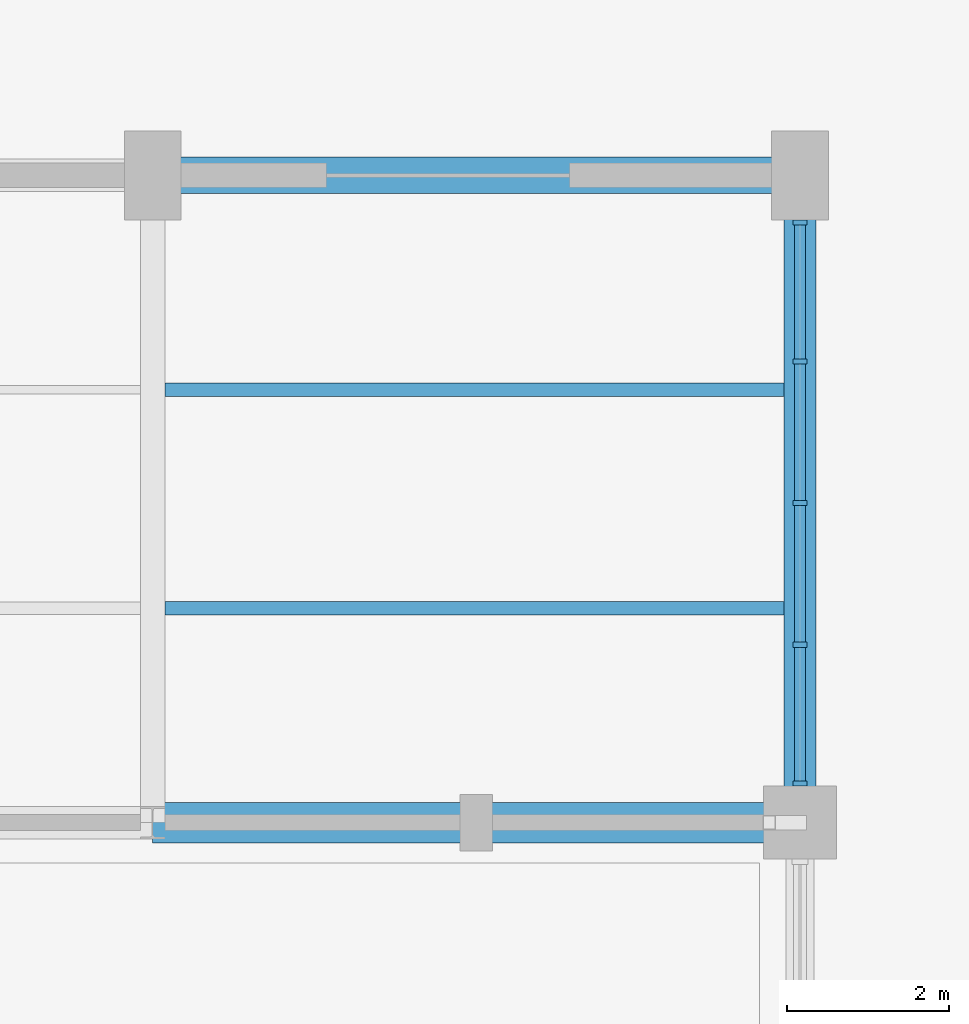
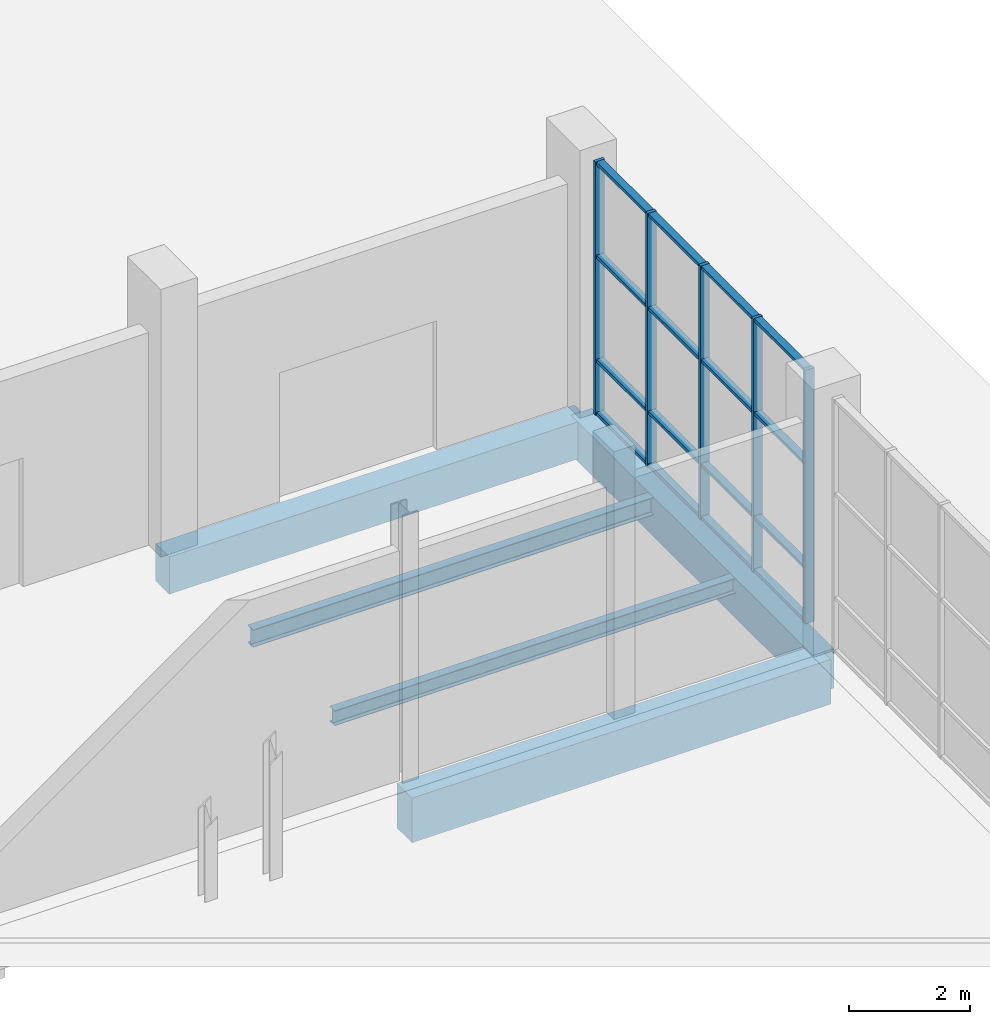
# One storey, part 56 of 123: 21 members, 5 beams, 1 element without a shape of its own.
"""IFC4 building model written with IfcOpenShell, lengths in metres."""

from ifc_helpers import new_model, si_unit, direction, frame, origin, origin_2d, place, context, subcontext, project, spatial, rectangle, i_section, extrude, material, material_profile, profile_set, type_object, element, aggregate, save


model = new_model("IFC4")

# Units and contexts
model_context = context("Model", 3, precision=1e-05, world=origin(), true_north=direction((0.0, 1.0)))
body_context = subcontext(model_context, "Body", "Model", "MODEL_VIEW")
ifc_project = project(units=[si_unit("LENGTHUNIT", "METRE"), si_unit("AREAUNIT", "SQUARE_METRE"), si_unit("VOLUMEUNIT", "CUBIC_METRE"), si_unit("PLANEANGLEUNIT", "RADIAN"), si_unit("MASSUNIT", "GRAM", prefix="KILO")], contexts=[model_context])

# Site, building, storey
site_placement = place(None, origin())
site = spatial("IfcSite", under=ifc_project, at=site_placement, CompositionType="ELEMENT")
building_placement = place(site_placement, origin())
building = spatial("IfcBuilding", under=site, at=building_placement, Name="Tenunan Teduh Sports Hall", CompositionType="ELEMENT")
storey_placement = place(building_placement, origin())
storey = spatial("IfcBuildingStorey", under=building, at=storey_placement, Name="L00", CompositionType="ELEMENT", Elevation=0.0)

# Beams
ifc_material_1 = material(Name="Concrete C40/50", Category="concrete")
ifc_material_profile_1 = material_profile(ifc_material_1, rectangle(XDim=0.39990234375, YDim=0.800048828125, at=origin_2d()), Name="RCB 400x800")
ifc_profile_set_1 = profile_set([ifc_material_profile_1], Name="Concrete C40/50")
beam_type_1 = type_object("IfcBeamType", Name="BM-RC-400x800", PredefinedType="BEAM", material=ifc_profile_set_1)
beam_1_placement = place(storey_placement, frame((170.0, 38.0, -0.719970703125), z_axis=(0.0, 1.0, 0.0), x_axis=(-1.0, 0.0, 0.0)))
element("IfcBeam", 1, at=beam_1_placement, inside=storey, type_object=beam_type_1, Name="BM-B-10-L00-0893", PredefinedType="BEAM", context=body_context, shape_type="SweptSolid", body=[
    extrude(rectangle(XDim=0.39990234375, YDim=0.800048828125, at=origin_2d()), origin(), (0.0, 0.0, 1.0), 8.0),
])
ifc_material_2 = material(Name="Concrete C40/50", Category="concrete")
ifc_material_profile_2 = material_profile(ifc_material_2, rectangle(XDim=0.449951171875, YDim=0.75, at=origin_2d()), Name="RCB 450x750")
ifc_profile_set_2 = profile_set([ifc_material_profile_2], Name="Concrete C40/50")
beam_type_2 = type_object("IfcBeamType", Name="BM-RC-450x750", PredefinedType="BEAM", material=ifc_profile_set_2)
beam_2_placement = place(storey_placement, frame((162.0, 46.0, -0.695068359375), z_axis=(1.0, 0.0, 0.0), x_axis=(0.0, 1.0, 0.0)))
element("IfcBeam", 2, at=beam_2_placement, inside=storey, type_object=beam_type_2, Name="BM-B-11-L00-0664", PredefinedType="BEAM", context=body_context, shape_type="SweptSolid", body=[
    extrude(rectangle(XDim=0.449951171875, YDim=0.75, at=origin_2d()), origin(), (0.0, 0.0, 1.0), 8.0),
])
ifc_material_3 = material(Name="Concrete C40/50", Category="concrete")
ifc_material_profile_3 = material_profile(ifc_material_3, rectangle(XDim=0.5, YDim=0.89990234375, at=origin_2d()), Name="RCB 500x900")
ifc_profile_set_3 = profile_set([ifc_material_profile_3], Name="Concrete C40/50")
beam_type_3 = type_object("IfcBeamType", Name="BM-RC-500x900", PredefinedType="BEAM", material=ifc_profile_set_3)
beam_3_placement = place(storey_placement, frame((162.0, 38.0, -0.77001953125), z_axis=(1.0, 0.0, 0.0), x_axis=(0.0, 1.0, 0.0)))
element("IfcBeam", 3, at=beam_3_placement, inside=storey, type_object=beam_type_3, Name="BM-B-15-L00-0650", PredefinedType="BEAM", context=body_context, shape_type="SweptSolid", body=[
    extrude(rectangle(XDim=0.5, YDim=0.89990234375, at=origin_2d()), origin(), (0.0, 0.0, 1.0), 8.0),
])

# Curtain wall, members
ifc_material_4 = material(Name="Anodised aluminium", Category="aluminium")
curtain_wall_type = type_object("IfcCurtainWallType", Name="CW-UNIT-1", PredefinedType="NOTDEFINED", material=ifc_material_4)
curtain_wall_placement = place(storey_placement, origin())
curtain_wall = element("IfcCurtainWall", 4, at=curtain_wall_placement, inside=storey, type_object=curtain_wall_type, Name="CW-CWM-175-L00-006", PredefinedType="NOTDEFINED")
ifc_material_5 = material(Name="Anodised aluminium", Category="aluminium")
ifc_material_profile_4 = material_profile(ifc_material_5, rectangle(XDim=0.06494140625, YDim=0.175048828125, at=origin_2d()), Name="CWM 65x175")
ifc_profile_set_4 = profile_set([ifc_material_profile_4], Name="Anodised aluminium")
member_type_1 = type_object("IfcMemberType", Name="CWM-175", PredefinedType="MULLION", material=ifc_profile_set_4)
member_1_placement = place(storey_placement, frame((170.0, 38.482421875, 0.0), z_axis=(0.0, 0.0, 1.0), x_axis=(0.0, 1.0, 0.0)))
member_1 = element("IfcMember", 5, at=member_1_placement, type_object=member_type_1, Name="CW-01 mullion 1", PredefinedType="MULLION", context=body_context, shape_type="SweptSolid", body=[
    extrude(rectangle(XDim=0.06494140625, YDim=0.175048828125, at=origin_2d()), origin(), (0.0, 0.0, 1.0), 5.1201171875),
])
member_2_placement = place(storey_placement, frame((170.0, 40.199951171875, 0.0), z_axis=(0.0, 0.0, 1.0), x_axis=(0.0, 1.0, 0.0)))
member_2 = element("IfcMember", 6, at=member_2_placement, type_object=member_type_1, Name="CW-01 mullion 2", PredefinedType="MULLION", context=body_context, shape_type="SweptSolid", body=[
    extrude(rectangle(XDim=0.06494140625, YDim=0.175048828125, at=origin_2d()), origin(), (0.0, 0.0, 1.0), 5.1201171875),
])
member_3_placement = place(storey_placement, frame((170.0, 41.949951171875, 0.0), z_axis=(0.0, 0.0, 1.0), x_axis=(0.0, 1.0, 0.0)))
member_3 = element("IfcMember", 7, at=member_3_placement, type_object=member_type_1, Name="CW-01 mullion 3", PredefinedType="MULLION", context=body_context, shape_type="SweptSolid", body=[
    extrude(rectangle(XDim=0.06494140625, YDim=0.175048828125, at=origin_2d()), origin(), (0.0, 0.0, 1.0), 5.1201171875),
])
member_4_placement = place(storey_placement, frame((170.0, 43.699951171875, 0.0), z_axis=(0.0, 0.0, 1.0), x_axis=(0.0, 1.0, 0.0)))
member_4 = element("IfcMember", 8, at=member_4_placement, type_object=member_type_1, Name="CW-01 mullion 4", PredefinedType="MULLION", context=body_context, shape_type="SweptSolid", body=[
    extrude(rectangle(XDim=0.06494140625, YDim=0.175048828125, at=origin_2d()), origin(), (0.0, 0.0, 1.0), 5.1201171875),
])
member_5_placement = place(storey_placement, frame((170.0, 45.41748046875, 0.0), z_axis=(0.0, 0.0, 1.0), x_axis=(0.0, 1.0, 0.0)))
member_5 = element("IfcMember", 9, at=member_5_placement, type_object=member_type_1, Name="CW-01 mullion 5", PredefinedType="MULLION", context=body_context, shape_type="SweptSolid", body=[
    extrude(rectangle(XDim=0.06494140625, YDim=0.175048828125, at=origin_2d()), origin(), (0.0, 0.0, 1.0), 5.1201171875),
])
ifc_material_6 = material(Name="Anodised aluminium", Category="aluminium")
ifc_material_profile_5 = material_profile(ifc_material_6, rectangle(XDim=0.06494140625, YDim=0.139892578125, at=origin_2d()), Name="CWT 65x140")
ifc_profile_set_5 = profile_set([ifc_material_profile_5], Name="Anodised aluminium")
member_type_2 = type_object("IfcMemberType", Name="CWT-150", PredefinedType="USERDEFINED", material=ifc_profile_set_5)
member_6_placement = place(storey_placement, frame((170.0, 38.514892578125, 0.032470703125), z_axis=(0.0, 1.0, 0.0), x_axis=(0.0, 0.0, 1.0)))
member_6 = element("IfcMember", 10, at=member_6_placement, type_object=member_type_2, Name="CW-01 transom 1.1", ObjectType="TRANSOM", PredefinedType="USERDEFINED", context=body_context, shape_type="SweptSolid", body=[
    extrude(rectangle(XDim=0.06494140625, YDim=0.139892578125, at=origin_2d()), origin(), (0.0, 0.0, 1.0), 1.652587890625),
])
member_7_placement = place(storey_placement, frame((170.0, 38.514892578125, 1.10009765625), z_axis=(0.0, 1.0, 0.0), x_axis=(0.0, 0.0, 1.0)))
member_7 = element("IfcMember", 11, at=member_7_placement, type_object=member_type_2, Name="CW-01 transom 1.2", ObjectType="TRANSOM", PredefinedType="USERDEFINED", context=body_context, shape_type="SweptSolid", body=[
    extrude(rectangle(XDim=0.06494140625, YDim=0.139892578125, at=origin_2d()), origin(), (0.0, 0.0, 1.0), 1.652587890625),
])
member_8_placement = place(storey_placement, frame((170.0, 38.514892578125, 3.199951171875), z_axis=(0.0, 1.0, 0.0), x_axis=(0.0, 0.0, 1.0)))
member_8 = element("IfcMember", 12, at=member_8_placement, type_object=member_type_2, Name="CW-01 transom 1.3", ObjectType="TRANSOM", PredefinedType="USERDEFINED", context=body_context, shape_type="SweptSolid", body=[
    extrude(rectangle(XDim=0.06494140625, YDim=0.139892578125, at=origin_2d()), origin(), (0.0, 0.0, 1.0), 1.652587890625),
])
member_9_placement = place(storey_placement, frame((170.0, 38.514892578125, 5.08740234375), z_axis=(0.0, 1.0, 0.0), x_axis=(0.0, 0.0, 1.0)))
member_9 = element("IfcMember", 13, at=member_9_placement, type_object=member_type_2, Name="CW-01 transom 1.4", ObjectType="TRANSOM", PredefinedType="USERDEFINED", context=body_context, shape_type="SweptSolid", body=[
    extrude(rectangle(XDim=0.06494140625, YDim=0.139892578125, at=origin_2d()), origin(), (0.0, 0.0, 1.0), 1.652587890625),
])
member_10_placement = place(storey_placement, frame((170.0, 40.232421875, 0.032470703125), z_axis=(0.0, 1.0, 0.0), x_axis=(0.0, 0.0, 1.0)))
member_10 = element("IfcMember", 14, at=member_10_placement, type_object=member_type_2, Name="CW-01 transom 2.1", ObjectType="TRANSOM", PredefinedType="USERDEFINED", context=body_context, shape_type="SweptSolid", body=[
    extrude(rectangle(XDim=0.06494140625, YDim=0.139892578125, at=origin_2d()), origin(), (0.0, 0.0, 1.0), 1.68505859375),
])
member_11_placement = place(storey_placement, frame((170.0, 40.232421875, 1.10009765625), z_axis=(0.0, 1.0, 0.0), x_axis=(0.0, 0.0, 1.0)))
member_11 = element("IfcMember", 15, at=member_11_placement, type_object=member_type_2, Name="CW-01 transom 2.2", ObjectType="TRANSOM", PredefinedType="USERDEFINED", context=body_context, shape_type="SweptSolid", body=[
    extrude(rectangle(XDim=0.06494140625, YDim=0.139892578125, at=origin_2d()), origin(), (0.0, 0.0, 1.0), 1.68505859375),
])
member_12_placement = place(storey_placement, frame((170.0, 40.232421875, 3.199951171875), z_axis=(0.0, 1.0, 0.0), x_axis=(0.0, 0.0, 1.0)))
member_12 = element("IfcMember", 16, at=member_12_placement, type_object=member_type_2, Name="CW-01 transom 2.3", ObjectType="TRANSOM", PredefinedType="USERDEFINED", context=body_context, shape_type="SweptSolid", body=[
    extrude(rectangle(XDim=0.06494140625, YDim=0.139892578125, at=origin_2d()), origin(), (0.0, 0.0, 1.0), 1.68505859375),
])
member_13_placement = place(storey_placement, frame((170.0, 40.232421875, 5.08740234375), z_axis=(0.0, 1.0, 0.0), x_axis=(0.0, 0.0, 1.0)))
member_13 = element("IfcMember", 17, at=member_13_placement, type_object=member_type_2, Name="CW-01 transom 2.4", ObjectType="TRANSOM", PredefinedType="USERDEFINED", context=body_context, shape_type="SweptSolid", body=[
    extrude(rectangle(XDim=0.06494140625, YDim=0.139892578125, at=origin_2d()), origin(), (0.0, 0.0, 1.0), 1.68505859375),
])
member_14_placement = place(storey_placement, frame((170.0, 41.982421875, 0.032470703125), z_axis=(0.0, 1.0, 0.0), x_axis=(0.0, 0.0, 1.0)))
member_14 = element("IfcMember", 18, at=member_14_placement, type_object=member_type_2, Name="CW-01 transom 3.1", ObjectType="TRANSOM", PredefinedType="USERDEFINED", context=body_context, shape_type="SweptSolid", body=[
    extrude(rectangle(XDim=0.06494140625, YDim=0.139892578125, at=origin_2d()), origin(), (0.0, 0.0, 1.0), 1.68505859375),
])
member_15_placement = place(storey_placement, frame((170.0, 41.982421875, 1.10009765625), z_axis=(0.0, 1.0, 0.0), x_axis=(0.0, 0.0, 1.0)))
member_15 = element("IfcMember", 19, at=member_15_placement, type_object=member_type_2, Name="CW-01 transom 3.2", ObjectType="TRANSOM", PredefinedType="USERDEFINED", context=body_context, shape_type="SweptSolid", body=[
    extrude(rectangle(XDim=0.06494140625, YDim=0.139892578125, at=origin_2d()), origin(), (0.0, 0.0, 1.0), 1.68505859375),
])
member_16_placement = place(storey_placement, frame((170.0, 41.982421875, 3.199951171875), z_axis=(0.0, 1.0, 0.0), x_axis=(0.0, 0.0, 1.0)))
member_16 = element("IfcMember", 20, at=member_16_placement, type_object=member_type_2, Name="CW-01 transom 3.3", ObjectType="TRANSOM", PredefinedType="USERDEFINED", context=body_context, shape_type="SweptSolid", body=[
    extrude(rectangle(XDim=0.06494140625, YDim=0.139892578125, at=origin_2d()), origin(), (0.0, 0.0, 1.0), 1.68505859375),
])
member_17_placement = place(storey_placement, frame((170.0, 41.982421875, 5.08740234375), z_axis=(0.0, 1.0, 0.0), x_axis=(0.0, 0.0, 1.0)))
member_17 = element("IfcMember", 21, at=member_17_placement, type_object=member_type_2, Name="CW-01 transom 3.4", ObjectType="TRANSOM", PredefinedType="USERDEFINED", context=body_context, shape_type="SweptSolid", body=[
    extrude(rectangle(XDim=0.06494140625, YDim=0.139892578125, at=origin_2d()), origin(), (0.0, 0.0, 1.0), 1.68505859375),
])
member_18_placement = place(storey_placement, frame((170.0, 43.732421875, 0.032470703125), z_axis=(0.0, 1.0, 0.0), x_axis=(0.0, 0.0, 1.0)))
member_18 = element("IfcMember", 22, at=member_18_placement, type_object=member_type_2, Name="CW-01 transom 4.1", ObjectType="TRANSOM", PredefinedType="USERDEFINED", context=body_context, shape_type="SweptSolid", body=[
    extrude(rectangle(XDim=0.06494140625, YDim=0.139892578125, at=origin_2d()), origin(), (0.0, 0.0, 1.0), 1.652587890625),
])
member_19_placement = place(storey_placement, frame((170.0, 43.732421875, 1.10009765625), z_axis=(0.0, 1.0, 0.0), x_axis=(0.0, 0.0, 1.0)))
member_19 = element("IfcMember", 23, at=member_19_placement, type_object=member_type_2, Name="CW-01 transom 4.2", ObjectType="TRANSOM", PredefinedType="USERDEFINED", context=body_context, shape_type="SweptSolid", body=[
    extrude(rectangle(XDim=0.06494140625, YDim=0.139892578125, at=origin_2d()), origin(), (0.0, 0.0, 1.0), 1.652587890625),
])
member_20_placement = place(storey_placement, frame((170.0, 43.732421875, 3.199951171875), z_axis=(0.0, 1.0, 0.0), x_axis=(0.0, 0.0, 1.0)))
member_20 = element("IfcMember", 24, at=member_20_placement, type_object=member_type_2, Name="CW-01 transom 4.3", ObjectType="TRANSOM", PredefinedType="USERDEFINED", context=body_context, shape_type="SweptSolid", body=[
    extrude(rectangle(XDim=0.06494140625, YDim=0.139892578125, at=origin_2d()), origin(), (0.0, 0.0, 1.0), 1.652587890625),
])
member_21_placement = place(storey_placement, frame((170.0, 43.732421875, 5.08740234375), z_axis=(0.0, 1.0, 0.0), x_axis=(0.0, 0.0, 1.0)))
member_21 = element("IfcMember", 25, at=member_21_placement, type_object=member_type_2, Name="CW-01 transom 4.4", ObjectType="TRANSOM", PredefinedType="USERDEFINED", context=body_context, shape_type="SweptSolid", body=[
    extrude(rectangle(XDim=0.06494140625, YDim=0.139892578125, at=origin_2d()), origin(), (0.0, 0.0, 1.0), 1.652587890625),
])
aggregate(curtain_wall, [member_1, member_2, member_3, member_4, member_5, member_6, member_7, member_8, member_9, member_10, member_11, member_12, member_13, member_14, member_15, member_16, member_17, member_18, member_19, member_20, member_21])

# Beams
ifc_material_7 = material(Name="Steel S355", Category="steel")
ifc_material_profile_6 = material_profile(ifc_material_7, i_section(OverallWidth=0.1650390625, OverallDepth=0.303466796875, WebThickness=0.006103515625, FlangeThickness=0.01025390625, FilletRadius=0.0087890625, at=origin_2d()), Name="UKB 305x165x40")
ifc_profile_set_6 = profile_set([ifc_material_profile_6], Name="Steel S355")
beam_type_4 = type_object("IfcBeamType", Name="SBM-UKB305", PredefinedType="BEAM", material=ifc_profile_set_6)
beam_4_placement = place(storey_placement, frame((162.14990234375, 40.64990234375, -0.4716796875), z_axis=(1.0, 0.0, 0.0), x_axis=(0.0, 1.0, 0.0)))
element("IfcBeam", 26, at=beam_4_placement, inside=storey, type_object=beam_type_4, Name="BM-SB-01-L00-1052", PredefinedType="BEAM", context=body_context, shape_type="SweptSolid", body=[
    extrude(i_section(OverallWidth=0.1650390625, OverallDepth=0.303466796875, WebThickness=0.006103515625, FlangeThickness=0.01025390625, FilletRadius=0.0087890625, at=origin_2d()), origin(), (0.0, 0.0, 1.0), 7.650146484375),
])
ifc_material_8 = material(Name="Steel S355", Category="steel")
ifc_material_profile_7 = material_profile(ifc_material_8, i_section(OverallWidth=0.17138671875, OverallDepth=0.35498046875, WebThickness=0.00732421875, FlangeThickness=0.011474609375, FilletRadius=0.01025390625, at=origin_2d()), Name="UKB 356x171x51")
ifc_profile_set_7 = profile_set([ifc_material_profile_7], Name="Steel S355")
beam_type_5 = type_object("IfcBeamType", Name="SBM-UKB356", PredefinedType="BEAM", material=ifc_profile_set_7)
beam_5_placement = place(storey_placement, frame((162.14990234375, 43.35009765625, -0.49755859375), z_axis=(1.0, 0.0, 0.0), x_axis=(0.0, 1.0, 0.0)))
element("IfcBeam", 27, at=beam_5_placement, inside=storey, type_object=beam_type_5, Name="BM-SB-02-L00-1053", PredefinedType="BEAM", context=body_context, shape_type="SweptSolid", body=[
    extrude(i_section(OverallWidth=0.17138671875, OverallDepth=0.35498046875, WebThickness=0.00732421875, FlangeThickness=0.011474609375, FilletRadius=0.01025390625, at=origin_2d()), origin(), (0.0, 0.0, 1.0), 7.650146484375),
])

save(model, "model.ifc")
